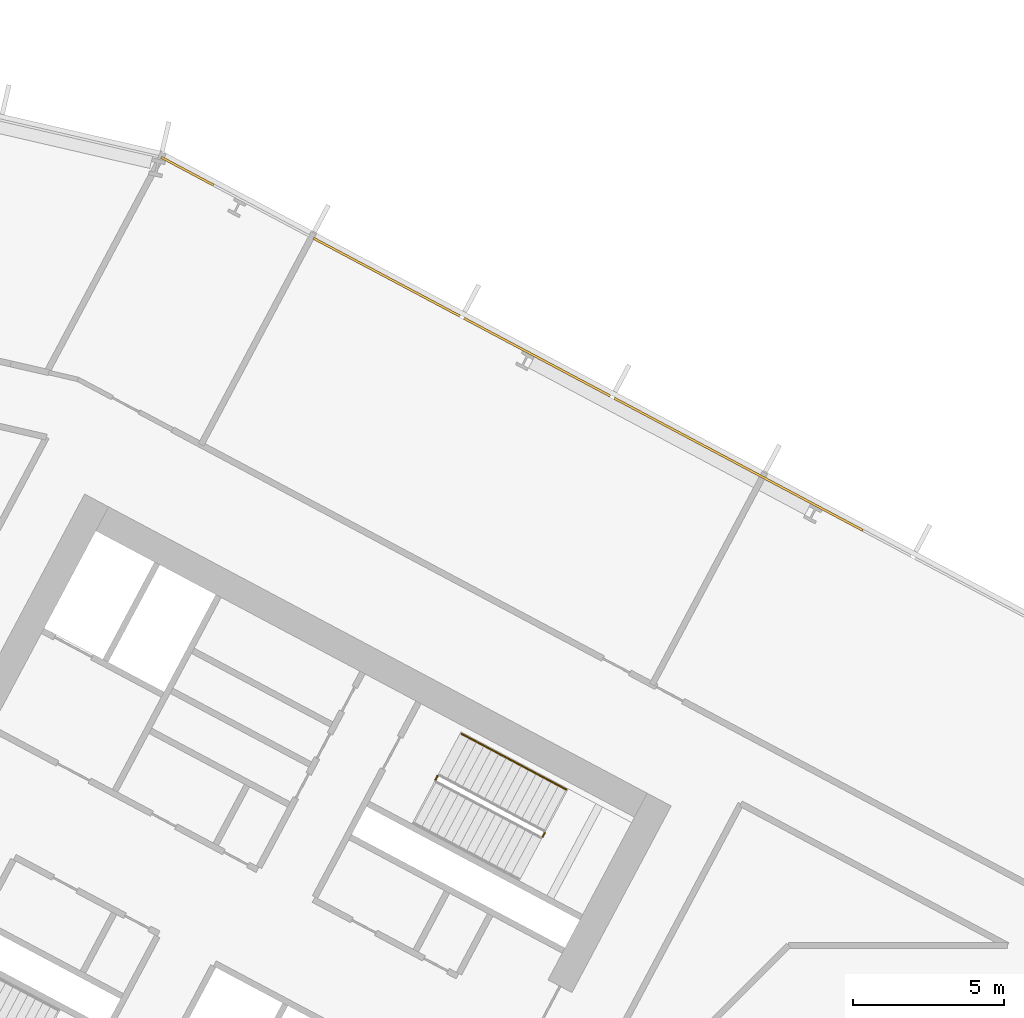
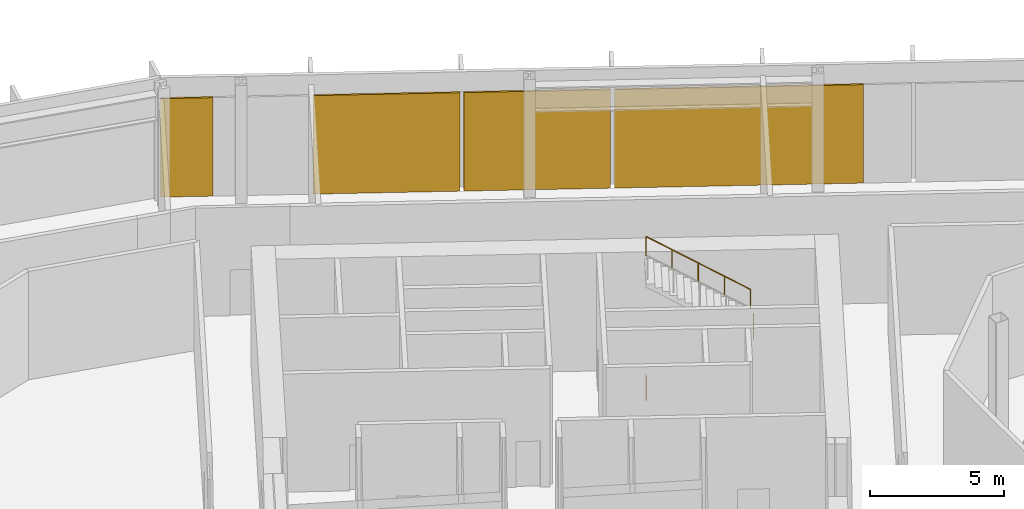
# One storey, part 25 of 32: 4 coverings, 3 railings, 1 element without a shape of its own.
"""IFC4 building model written with IfcOpenShell, lengths in metres."""

import ifcopenshell
import ifcopenshell.guid

model = None  # the IFC model being written
_history = None  # IfcOwnerHistory: only IFC2X3 demands one
_inside = {}  # id of a spatial element -> (the spatial element, [elements in it])
_under = {}  # id of a project, library or spatial element -> (it, [spatial elements below it])
_declared = {}  # id of a project -> (the project, [libraries it declares])
_typed = {}  # id of a type object -> (the type object, [elements of that type])
_made_of = {}  # id of a material, layer set ... -> (it, [elements and type objects made of it])


def new_model(schema):
    """Start an empty IFC model of exactly this schema.

    Asked for "IFC4X3", IfcOpenShell would pick the latest addendum, in which some entities
    have other attributes; the version numbers below select the first issue.
    IFC2X3 requires an IfcOwnerHistory on every rooted entity: one is made here for all.
    """
    global model, _history
    if schema == "IFC4X3":
        model = ifcopenshell.file(schema_version=(4, 3, 0, 0))
    else:
        model = ifcopenshell.file(schema=schema)
    _inside.clear()
    _under.clear()
    _declared.clear()
    _typed.clear()
    _made_of.clear()
    _history = None
    if model.schema == "IFC2X3":
        org = make("IfcOrganization", Name="unknown")
        user = make(
            "IfcPersonAndOrganization",
            ThePerson=make("IfcPerson", FamilyName="unknown"),
            TheOrganization=org,
        )
        app = make(
            "IfcApplication",
            ApplicationDeveloper=org,
            Version="unknown",
            ApplicationFullName="unknown",
            ApplicationIdentifier="unknown",
        )
        _history = make(
            "IfcOwnerHistory",
            OwningUser=user,
            OwningApplication=app,
            ChangeAction="ADDED",
            CreationDate=0,
        )
    return model


def make(cls, **values):
    """One entity of the class cls with the attributes given. An attribute that is None is left unset."""
    return model.create_entity(
        cls, **{name: value for name, value in values.items() if value is not None}
    )


def rooted(cls, **values):
    """An entity with a GlobalId (a new one), such as an element, a storey or a relation."""
    return make(cls, GlobalId=ifcopenshell.guid.new(), OwnerHistory=_history, **values)


def si_unit(unit_type, name, prefix=None):
    """IfcSIUnit, for example si_unit("LENGTHUNIT", "METRE", prefix="MILLI")."""
    return make("IfcSIUnit", UnitType=unit_type, Prefix=prefix, Name=name)


def assignment(units):
    """IfcUnitAssignment: the units of a project."""
    return None if units is None else make("IfcUnitAssignment", Units=units)


def point(xyz):
    """IfcCartesianPoint."""
    return None if xyz is None else make("IfcCartesianPoint", Coordinates=xyz)


def direction(xyz):
    """IfcDirection."""
    return None if xyz is None else make("IfcDirection", DirectionRatios=xyz)


def frame(location, z_axis=None, x_axis=None):
    """IfcAxis2Placement3D, a coordinate frame: its origin and axes. An axis left out is left unset."""
    return make(
        "IfcAxis2Placement3D",
        Location=point(location),
        Axis=direction(z_axis),
        RefDirection=direction(x_axis),
    )


def frame_2d(location, x_axis=None):
    """IfcAxis2Placement2D, a coordinate frame in the plane: its origin and x axis."""
    return make(
        "IfcAxis2Placement2D", Location=point(location), RefDirection=direction(x_axis)
    )


def origin():
    """The frame at (0, 0, 0) with its axes left unset."""
    return frame((0.0, 0.0, 0.0))


def origin_2d():
    """The frame at (0, 0) in the plane with its x axis left unset."""
    return frame_2d((0.0, 0.0))


def place(relative_to, where):
    """IfcLocalPlacement: puts the frame where relative to a parent placement (None: the world)."""
    return make(
        "IfcLocalPlacement", PlacementRelTo=relative_to, RelativePlacement=where
    )


def context(
    kind, dimensions, precision=None, world=None, true_north=None, identifier=None
):
    """IfcGeometricRepresentationContext, for example the 3D "Model" context."""
    return make(
        "IfcGeometricRepresentationContext",
        ContextIdentifier=identifier,
        ContextType=kind,
        CoordinateSpaceDimension=dimensions,
        Precision=precision,
        WorldCoordinateSystem=world,
        TrueNorth=true_north,
    )


def subcontext(parent, identifier, kind, view, scale=None):
    """IfcGeometricRepresentationSubContext, for example "Body" below "Model"."""
    return make(
        "IfcGeometricRepresentationSubContext",
        ContextIdentifier=identifier,
        ContextType=kind,
        ParentContext=parent,
        TargetScale=scale,
        TargetView=view,
    )


def project(units=None, contexts=None):
    """IfcProject with its units and contexts."""
    return rooted(
        "IfcProject",
        Name="project",
        RepresentationContexts=contexts,
        UnitsInContext=assignment(units),
    )


def spatial(cls, under=None, at=None, **own):
    """A site, building, storey or space (cls), placed at a placement, below another one or the project."""
    s = rooted(cls, ObjectPlacement=at, **own)
    if under is not None:
        _under.setdefault(under.id(), (under, []))[1].append(s)
    return s


def polyline(points):
    """IfcPolyline through the points."""
    return make("IfcPolyline", Points=[point(p) for p in points])


def profile(cls, at=None, kind="AREA", **sizes):
    """A parametric profile (cls). Its sizes go by their IFC names, for example OverallWidth=200.0."""
    return make(cls, ProfileType=kind, Position=at, **sizes)


def rectangle(**sizes):
    """IfcRectangleProfileDef."""
    return profile("IfcRectangleProfileDef", **sizes)


def outline(outer, holes=None, kind="AREA"):
    """IfcArbitraryClosedProfileDef: a profile drawn as a closed curve; with holes, ...WithVoids."""
    if holes is None:
        return make("IfcArbitraryClosedProfileDef", ProfileType=kind, OuterCurve=outer)
    return make(
        "IfcArbitraryProfileDefWithVoids",
        ProfileType=kind,
        OuterCurve=outer,
        InnerCurves=holes,
    )


def extrude(swept, where, along, depth):
    """IfcExtrudedAreaSolid: the profile swept, set in the frame where, extruded along a direction by depth."""
    return make(
        "IfcExtrudedAreaSolid",
        SweptArea=swept,
        Position=where,
        ExtrudedDirection=direction(along),
        Depth=depth,
    )


def shape(context_of_items, identifier, shape_type, items):
    """IfcShapeRepresentation: the items that make up one representation, for example the "Body"."""
    return make(
        "IfcShapeRepresentation",
        ContextOfItems=context_of_items,
        RepresentationIdentifier=identifier,
        RepresentationType=shape_type,
        Items=items,
    )


def material(Name=None, Category=None):
    """IfcMaterial."""
    return make("IfcMaterial", Name=Name, Category=Category)


def layer(
    of_material, thickness, ventilated=None, Name=None, Category=None, Priority=None
):
    """IfcMaterialLayer: one layer of a wall or slab, of a material (None: an air gap)."""
    return make(
        "IfcMaterialLayer",
        Material=of_material,
        LayerThickness=thickness,
        IsVentilated=ventilated,
        Name=Name,
        Category=Category,
        Priority=Priority,
    )


def layer_set(layers, Name=None):
    """IfcMaterialLayerSet."""
    return make("IfcMaterialLayerSet", MaterialLayers=layers, LayerSetName=Name)


def made_of(thing, what):
    """Note that an element or type object is made of a material, layer set ...; save() writes the relation."""
    if what is not None:
        _made_of.setdefault(what.id(), (what, []))[1].append(thing)
    return thing


def type_object(cls, material=None, **own):
    """A type object (cls), such as IfcWallType, which elements share."""
    return made_of(rooted(cls, **own), material)


def element(
    cls,
    number,
    at=None,
    inside=None,
    cuts=None,
    type_object=None,
    material=None,
    context=None,
    identifier="Body",
    shape_type=None,
    held_by="IfcProductDefinitionShape",
    body=None,
    shapes=None,
    **own,
):
    """One element of the class cls, such as IfcWall. Its Tag is "e" and its number.

    at: its placement. inside: the storey or other place that contains it. cuts: it is an
    opening in that element (IfcRelVoidsElement). A single representation is given by context,
    identifier, shape_type and body (its items); several are given by shapes. held_by: the class
    of the entity that holds the representations. save() writes the other relations.
    """
    e = rooted(cls, Tag="e%d" % number, ObjectPlacement=at, **own)
    if body is not None:
        shapes = [shape(context, identifier, shape_type, body)]
    if shapes is not None:
        e.Representation = make(held_by, Representations=shapes)
    if inside is not None:
        _inside.setdefault(inside.id(), (inside, []))[1].append(e)
    if cuts is not None:
        rooted(
            "IfcRelVoidsElement", RelatingBuildingElement=cuts, RelatedOpeningElement=e
        )
    if type_object is not None:
        _typed.setdefault(type_object.id(), (type_object, []))[1].append(e)
    return made_of(e, material)


def aggregate(whole, parts):
    """IfcRelAggregates: a whole, such as a stair, and the parts it consists of."""
    return rooted("IfcRelAggregates", RelatingObject=whole, RelatedObjects=parts)


def save(model, path):
    """Write the relations noted so far, then the file.

    IfcRelAggregates (storeys below a building ...), IfcRelContainedInSpatialStructure (elements
    in a storey), IfcRelDefinesByType, IfcRelAssociatesMaterial and IfcRelDeclares: one each for
    every whole, place, type object, material and project.
    """
    for whole, parts in _under.values():
        aggregate(whole, parts)
    for where, things in _inside.values():
        rooted(
            "IfcRelContainedInSpatialStructure",
            RelatedElements=things,
            RelatingStructure=where,
        )
    for kind, things in _typed.values():
        rooted("IfcRelDefinesByType", RelatedObjects=things, RelatingType=kind)
    for what, things in _made_of.values():
        rooted("IfcRelAssociatesMaterial", RelatedObjects=things, RelatingMaterial=what)
    for by, libraries in _declared.values():
        rooted("IfcRelDeclares", RelatingContext=by, RelatedDefinitions=libraries)
    model.write(path)


model = new_model("IFC4")

# Units and contexts
model_context = context("Model", 3, precision=1e-05, world=origin(), true_north=direction((0.0, 1.0)))
body_context = subcontext(model_context, "Body", "Model", "MODEL_VIEW")
ifc_project = project(units=[si_unit("LENGTHUNIT", "METRE"), si_unit("AREAUNIT", "SQUARE_METRE"), si_unit("VOLUMEUNIT", "CUBIC_METRE"), si_unit("PLANEANGLEUNIT", "RADIAN"), si_unit("MASSUNIT", "GRAM", prefix="KILO")], contexts=[model_context])

# Site, building, storey
site_placement = place(None, origin())
site = spatial("IfcSite", under=ifc_project, at=site_placement, CompositionType="ELEMENT")
building_placement = place(site_placement, origin())
building = spatial("IfcBuilding", under=site, at=building_placement, Name="Cormorant Relay Tower", CompositionType="ELEMENT")
storey_placement = place(building_placement, frame((0.0, 0.0, 17.60009765625)))
storey = spatial("IfcBuildingStorey", under=building, at=storey_placement, Name="L03", CompositionType="ELEMENT", Elevation=17.60009765625)

# Curtain wall, coverings
ifc_material_1 = material(Name="Aluminium 6063-T6 anodised bronze", Category="aluminium")
ifc_layer_1 = layer(ifc_material_1, 0.235107421875)
ifc_layer_set_1 = layer_set([ifc_layer_1], Name="CW6 data hall curtain wall with mineral wool panels")
curtain_wall_type = type_object("IfcCurtainWallType", Name="CW6 data hall curtain wall with mineral wool panels", PredefinedType="NOTDEFINED", material=ifc_layer_set_1)
curtain_wall_placement = place(storey_placement, origin())
curtain_wall = element("IfcCurtainWall", 1, at=curtain_wall_placement, inside=storey, type_object=curtain_wall_type, Name="CW6 curtain wall 7", PredefinedType="NOTDEFINED")
ifc_material_2 = material(Name="Mineral wool cored anodised bronze aluminium cassette panel", Category="aluminium")
ifc_layer_2 = layer(ifc_material_2, 0.074951171875)
ifc_layer_set_2 = layer_set([ifc_layer_2], Name="CW6 mineral wool cassette panel 75")
covering_type = type_object("IfcCoveringType", Name="CW6 mineral wool cassette panel 75", PredefinedType="CLADDING", material=ifc_layer_set_2)
covering_1_placement = place(storey_placement, frame((-10.735107421875, 29.5341796875, 0.0), z_axis=(0.0, 0.0, 1.0), x_axis=(-0.882947592859, 0.469471562786, 0.0)))
covering_1 = element("IfcCovering", 2, at=covering_1_placement, type_object=covering_type, Name="CW6 panel S02", PredefinedType="CLADDING", context=body_context, shape_type="SweptSolid", body=[
    extrude(rectangle(XDim=9.327880859375, YDim=0.074951171875, at=origin_2d()), origin(), (0.0, 0.0, 1.0), 4.5),
])
covering_2_placement = place(storey_placement, frame((-17.40869140625, 33.082763671875, 0.0), z_axis=(0.0, 0.0, 1.0), x_axis=(-0.882947592859, 0.469471562786, 0.0)))
covering_2 = element("IfcCovering", 3, at=covering_2_placement, type_object=covering_type, Name="CW6 panel S03", PredefinedType="CLADDING", context=body_context, shape_type="SweptSolid", body=[
    extrude(rectangle(XDim=5.489013671875, YDim=0.074951171875, at=origin_2d()), origin(), (0.0, 0.0, 1.0), 4.5),
])
covering_3_placement = place(storey_placement, frame((-22.3876953125, 35.730224609375, 0.0), z_axis=(0.0, 0.0, 1.0), x_axis=(-0.882947592859, 0.469471562786, 0.0)))
covering_3 = element("IfcCovering", 4, at=covering_3_placement, type_object=covering_type, Name="CW6 panel S04", PredefinedType="CLADDING", context=body_context, shape_type="SweptSolid", body=[
    extrude(rectangle(XDim=5.489013671875, YDim=0.074951171875, at=origin_2d()), origin(), (0.0, 0.0, 1.0), 4.5),
])
covering_4_placement = place(storey_placement, frame((-28.989013671875, 39.240234375, 0.0), z_axis=(0.0, 0.0, 1.0), x_axis=(-0.882947592859, 0.469471562786, 0.0)))
covering_4 = element("IfcCovering", 5, at=covering_4_placement, type_object=covering_type, Name="CW6 panel S06", PredefinedType="CLADDING", context=body_context, shape_type="SweptSolid", body=[
    extrude(rectangle(XDim=1.964111328125, YDim=0.074951171875, at=origin_2d()), origin(), (0.0, 0.0, 1.0), 4.5),
])
aggregate(curtain_wall, [covering_1, covering_2, covering_3, covering_4])

# Railings
ifc_material_3 = material(Name="Steel ASTM A572 Grade 50 (Fy 345 MPa)", Category="steel")
railing_type_1 = type_object("IfcRailingType", Name="Stair guard 1100", PredefinedType="GUARDRAIL", material=ifc_material_3)
railing_1_placement = place(storey_placement, frame((-17.2216796875, 17.1982421875, 2.699951171875)))
element("IfcRailing", 6, at=railing_1_placement, inside=storey, type_object=railing_type_1, Name="L03 A1 stair guard 2", PredefinedType="GUARDRAIL", context=body_context, shape_type="SweptSolid", body=[
    extrude(outline(polyline([(0.022216796875, 0.00927734375), (0.00927734375, 0.022216796875), (-0.00927734375, 0.022216796875), (-0.022216796875, 0.00927734375), (-0.022216796875, -0.00927734375), (-0.00927734375, -0.022216796875), (0.00927734375, -0.022216796875), (0.022216796875, -0.00927734375), (0.022216796875, 0.00927734375)])), frame((0.0, 0.0, 1.076171875), z_axis=(0.469234640946, 0.883073525669, 0.0), x_axis=(-0.883073525669, 0.469234640946, 0.0)), (0.0, 0.0, 1.0), 0.14990234375),
    extrude(outline(polyline([(0.019287109375, 0.008056640625), (0.008056640625, 0.019287109375), (-0.008056640625, 0.019287109375), (-0.019287109375, 0.008056640625), (-0.019287109375, -0.008056640625), (-0.008056640625, -0.019287109375), (0.008056640625, -0.019287109375), (0.019287109375, -0.008056640625), (0.019287109375, 0.008056640625)])), origin(), (0.0, 0.0, 1.0), 1.052001953125),
    extrude(outline(polyline([(0.019287109375, 0.008056640625), (0.008056640625, 0.019287109375), (-0.008056640625, 0.019287109375), (-0.019287109375, 0.008056640625), (-0.019287109375, -0.008056640625), (-0.008056640625, -0.019287109375), (0.008056640625, -0.019287109375), (0.019287109375, -0.008056640625), (0.019287109375, 0.008056640625)])), frame((0.0703125, 0.13232421875, 0.0)), (0.0, 0.0, 1.0), 1.052001953125),
])
railing_2_placement = place(storey_placement, frame((-20.771240234375, 19.08544921875, 0.0)))
element("IfcRailing", 7, at=railing_2_placement, inside=storey, type_object=railing_type_1, Name="L03 A1 stair guard 4", PredefinedType="GUARDRAIL", context=body_context, shape_type="SweptSolid", body=[
    extrude(outline(polyline([(0.022216796875, 0.00927734375), (0.00927734375, 0.022216796875), (-0.00927734375, 0.022216796875), (-0.022216796875, 0.00927734375), (-0.022216796875, -0.00927734375), (-0.00927734375, -0.022216796875), (0.00927734375, -0.022216796875), (0.022216796875, -0.00927734375), (0.022216796875, 0.00927734375)])), frame((0.0, 0.0, 1.076171875), z_axis=(0.469828648786, 0.882757634224, 0.0), x_axis=(-0.882757634224, 0.469828648786, 0.0)), (0.0, 0.0, 1.0), 0.150146484375),
    extrude(outline(polyline([(0.019287109375, 0.008056640625), (0.008056640625, 0.019287109375), (-0.008056640625, 0.019287109375), (-0.019287109375, 0.008056640625), (-0.019287109375, -0.008056640625), (-0.008056640625, -0.019287109375), (0.008056640625, -0.019287109375), (0.019287109375, -0.008056640625), (0.019287109375, 0.008056640625)])), origin(), (0.0, 0.0, 1.0), 1.052001953125),
    extrude(outline(polyline([(0.019287109375, 0.008056640625), (0.008056640625, 0.019287109375), (-0.008056640625, 0.019287109375), (-0.019287109375, 0.008056640625), (-0.019287109375, -0.008056640625), (-0.008056640625, -0.019287109375), (0.008056640625, -0.019287109375), (0.019287109375, -0.008056640625), (0.019287109375, 0.008056640625)])), frame((0.070556640625, 0.132568359375, 0.0)), (0.0, 0.0, 1.0), 1.052001953125),
])
ifc_material_4 = material(Name="Steel ASTM A572 Grade 50 (Fy 345 MPa)", Category="steel")
railing_type_2 = type_object("IfcRailingType", Name="Stair handrail 900", PredefinedType="HANDRAIL", material=ifc_material_4)
railing_3_placement = place(storey_placement, frame((-16.4443359375, 18.766845703125, 2.8798828125)))
element("IfcRailing", 8, at=railing_3_placement, inside=storey, type_object=railing_type_2, Name="L03 A1 stair handrail 2", PredefinedType="HANDRAIL", context=body_context, shape_type="SweptSolid", body=[
    extrude(outline(polyline([(0.022216796875, 0.00927734375), (0.00927734375, 0.022216796875), (-0.00927734375, 0.022216796875), (-0.022216796875, 0.00927734375), (-0.022216796875, -0.00927734375), (-0.00927734375, -0.022216796875), (0.00927734375, -0.022216796875), (0.022216796875, -0.00927734375), (0.022216796875, 0.00927734375)])), frame((0.0, 0.0, 0.8759765625), z_axis=(-0.74271721126, 0.394907409077, 0.540758062681), x_axis=(-0.469469396681, -0.882948744594, 0.0)), (0.0, 0.0, 1.0), 4.66015625),
    extrude(outline(polyline([(0.019287109375, 0.008056640625), (0.008056640625, 0.019287109375), (-0.008056640625, 0.019287109375), (-0.019287109375, 0.008056640625), (-0.019287109375, -0.008056640625), (-0.008056640625, -0.019287109375), (0.008056640625, -0.019287109375), (0.019287109375, -0.008056640625), (0.019287109375, 0.008056640625)])), origin(), (0.0, 0.0, 1.0), 0.851806640625),
    extrude(outline(polyline([(0.019287109375, 0.008056640625), (0.008056640625, 0.019287109375), (-0.008056640625, 0.019287109375), (-0.019287109375, 0.008056640625), (-0.019287109375, -0.008056640625), (-0.008056640625, -0.019287109375), (0.008056640625, -0.019287109375), (0.019287109375, -0.008056640625), (0.019287109375, 0.008056640625)])), frame((-0.865234375, 0.4599609375, 0.6298828125)), (0.0, 0.0, 1.0), 0.851806640625),
    extrude(outline(polyline([(0.019287109375, 0.008056640625), (0.008056640625, 0.019287109375), (-0.008056640625, 0.019287109375), (-0.019287109375, 0.008056640625), (-0.019287109375, -0.008056640625), (-0.008056640625, -0.019287109375), (0.008056640625, -0.019287109375), (0.019287109375, -0.008056640625), (0.019287109375, 0.008056640625)])), frame((-1.73046875, 0.920166015625, 1.260009765625)), (0.0, 0.0, 1.0), 0.851806640625),
    extrude(outline(polyline([(0.019287109375, 0.008056640625), (0.008056640625, 0.019287109375), (-0.008056640625, 0.019287109375), (-0.019287109375, 0.008056640625), (-0.019287109375, -0.008056640625), (-0.008056640625, -0.019287109375), (0.008056640625, -0.019287109375), (0.019287109375, -0.008056640625), (0.019287109375, 0.008056640625)])), frame((-2.595947265625, 1.38037109375, 1.89013671875)), (0.0, 0.0, 1.0), 0.851806640625),
    extrude(outline(polyline([(0.019287109375, 0.008056640625), (0.008056640625, 0.019287109375), (-0.008056640625, 0.019287109375), (-0.019287109375, 0.008056640625), (-0.019287109375, -0.008056640625), (-0.008056640625, -0.019287109375), (0.008056640625, -0.019287109375), (0.019287109375, -0.008056640625), (0.019287109375, 0.008056640625)])), frame((-3.461181640625, 1.84033203125, 2.52001953125)), (0.0, 0.0, 1.0), 0.851806640625),
])

save(model, "model.ifc")
